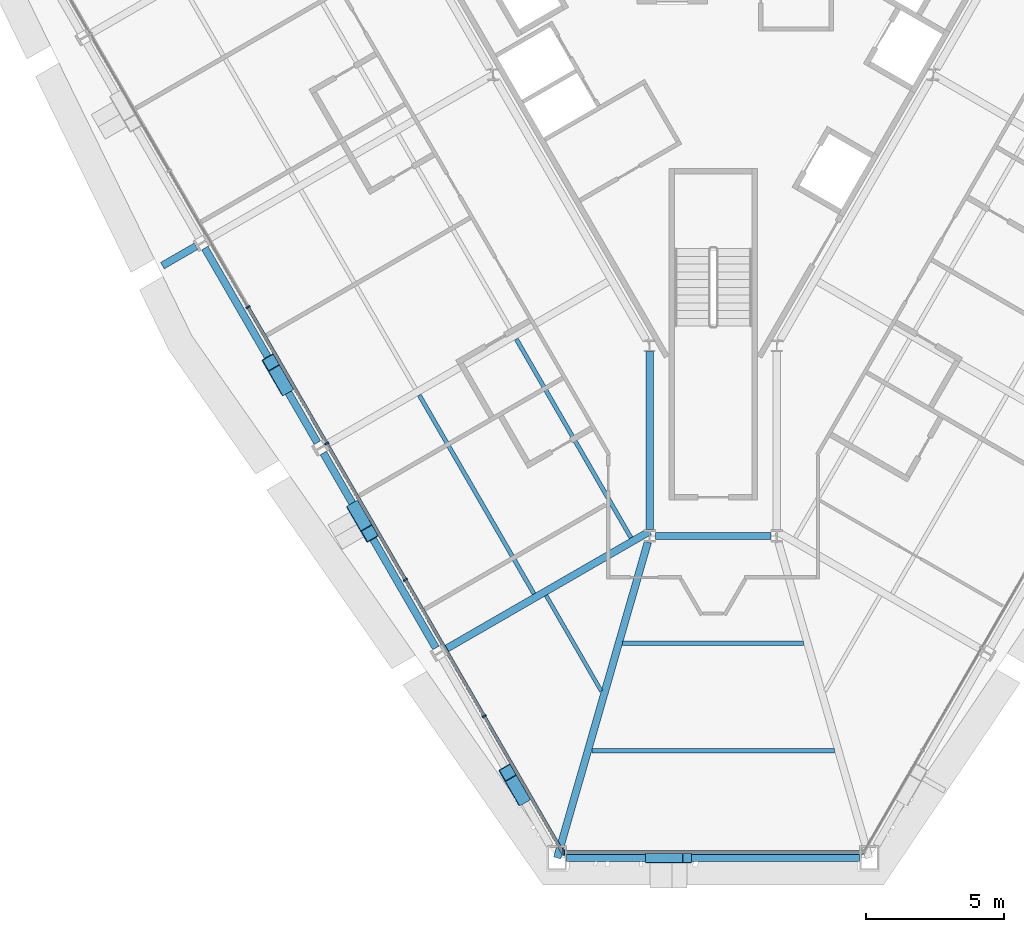
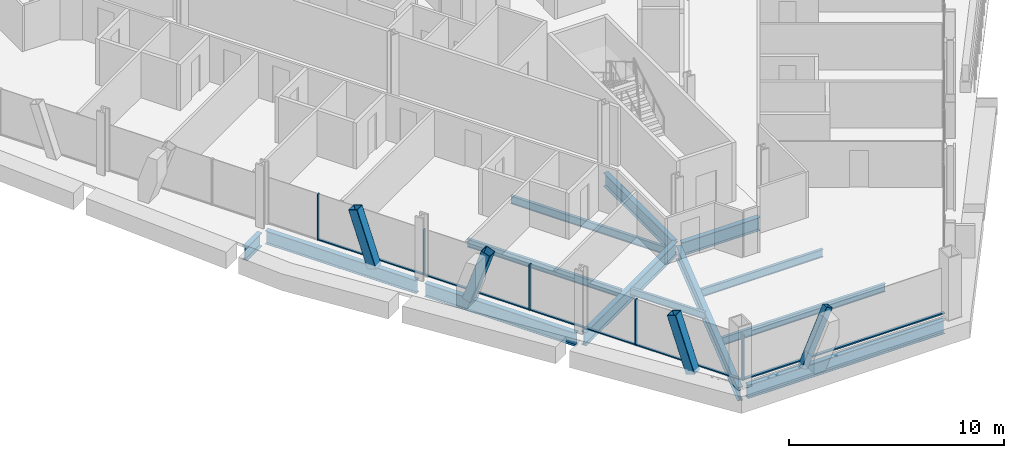
# One storey, part 3 of 20: 14 members, 13 beams, 2 elements without a shape of their own.
"""IFC4 building model written with IfcOpenShell, lengths in metres."""

from ifc_helpers import new_model, si_unit, direction, frame, origin, origin_2d, place, context, subcontext, project, spatial, rectangle, hollow_rectangle, i_section, extrude, material, material_profile, profile_set, type_object, element, aggregate, save


model = new_model("IFC4")

# Units and contexts
model_context = context("Model", 3, precision=1e-05, world=origin(), true_north=direction((0.0, 1.0)))
body_context = subcontext(model_context, "Body", "Model", "MODEL_VIEW")
ifc_project = project(units=[si_unit("LENGTHUNIT", "METRE"), si_unit("AREAUNIT", "SQUARE_METRE"), si_unit("VOLUMEUNIT", "CUBIC_METRE"), si_unit("PLANEANGLEUNIT", "RADIAN"), si_unit("MASSUNIT", "GRAM", prefix="KILO")], contexts=[model_context])

# Site, building, storey
site_placement = place(None, origin())
site = spatial("IfcSite", under=ifc_project, at=site_placement, CompositionType="ELEMENT")
building_placement = place(site_placement, origin())
building = spatial("IfcBuilding", under=site, at=building_placement, Name="Verrane Prism Tower", CompositionType="ELEMENT")
storey_placement = place(building_placement, frame((0.0, 0.0, 69.199951171875)))
storey = spatial("IfcBuildingStorey", under=building, at=storey_placement, Name="L15", CompositionType="ELEMENT", Elevation=69.199951171875)

# Member
ifc_material_1 = material(Name="Steel A500 Grade C", Category="steel")
ifc_material_profile_1 = material_profile(ifc_material_1, hollow_rectangle(XDim=0.355712890625, YDim=0.355712890625, WallThickness=0.0126953125, InnerFilletRadius=0.00634765625, OuterFilletRadius=0.01904296875, at=origin_2d()), Name="HSS14x14x1/2")
ifc_profile_set_1 = profile_set([ifc_material_profile_1], Name="Steel A500 Grade C")
member_type_1 = type_object("IfcMemberType", Name="Chamfer brace HSS14x14x1/2", PredefinedType="BRACE", material=ifc_profile_set_1)
member_1_placement = place(storey_placement, frame((-2.28759765625, -32.9599609375, -0.2451171875), z_axis=(0.409164523875, 0.0, 0.912460625124), x_axis=(0.0, 1.0, 0.0)))
element("IfcMember", 1, at=member_1_placement, inside=storey, type_object=member_type_1, Name="Chamfer brace S0 L15", PredefinedType="BRACE", context=body_context, shape_type="SweptSolid", body=[
    extrude(hollow_rectangle(XDim=0.355712890625, YDim=0.355712890625, WallThickness=0.0126953125, InnerFilletRadius=0.00634765625, OuterFilletRadius=0.01904296875, at=origin_2d()), origin(), (0.0, 0.0, 1.0), 3.291259765625),
])

# Beams
ifc_material_2 = material(Name="Steel A992", Category="steel")
ifc_material_profile_2 = material_profile(ifc_material_2, i_section(OverallWidth=0.2666015625, OverallDepth=0.76708984375, WebThickness=0.014892578125, FlangeThickness=0.023681640625, FilletRadius=0.0166015625, at=origin_2d()), Name="W30x124")
ifc_profile_set_2 = profile_set([ifc_material_profile_2], Name="Steel A992")
beam_type_1 = type_object("IfcBeamType", Name="Chamfer spandrel beam W30x124", PredefinedType="SPANDREL", material=ifc_profile_set_2)
beam_1_placement = place(storey_placement, frame((-5.300048828125, -32.9599609375, -0.54345703125), z_axis=(1.0, 0.0, 0.0), x_axis=(0.0, 1.0, 0.0)))
element("IfcBeam", 2, at=beam_1_placement, inside=storey, type_object=beam_type_1, Name="Chamfer spandrel beam L15", PredefinedType="SPANDREL", context=body_context, shape_type="SweptSolid", body=[
    extrude(i_section(OverallWidth=0.2666015625, OverallDepth=0.76708984375, WebThickness=0.014892578125, FlangeThickness=0.023681640625, FilletRadius=0.0166015625, at=origin_2d()), origin(), (0.0, 0.0, 1.0), 10.60009765625),
])
ifc_material_3 = material(Name="Steel A992", Category="steel")
ifc_material_profile_3 = material_profile(ifc_material_3, i_section(OverallWidth=0.2666015625, OverallDepth=0.7568359375, WebThickness=0.013916015625, FlangeThickness=0.019287109375, FilletRadius=0.0166015625, at=origin_2d()), Name="W30x108")
ifc_profile_set_3 = profile_set([ifc_material_profile_3], Name="Steel A992")
beam_type_2 = type_object("IfcBeamType", Name="Core ring girder W30x108", PredefinedType="BEAM", material=ifc_profile_set_3)
beam_2_placement = place(storey_placement, frame((-2.300048828125, -14.62841796875, -0.62841796875), z_axis=(0.0, -1.0, 0.0), x_axis=(1.0, 0.0, 0.0)))
element("IfcBeam", 3, at=beam_2_placement, inside=storey, type_object=beam_type_2, Name="Core ring girder L15", PredefinedType="BEAM", context=body_context, shape_type="SweptSolid", body=[
    extrude(i_section(OverallWidth=0.2666015625, OverallDepth=0.7568359375, WebThickness=0.013916015625, FlangeThickness=0.019287109375, FilletRadius=0.0166015625, at=origin_2d()), origin(), (0.0, 0.0, 1.0), 6.4443359375),
])
beam_3_placement = place(storey_placement, frame((-2.09033203125, -21.300048828125, -0.62841796875), z_axis=(1.0, 0.0, 0.0), x_axis=(0.0, 1.0, 0.0)))
element("IfcBeam", 4, at=beam_3_placement, inside=storey, type_object=beam_type_2, Name="Core ring girder L15", PredefinedType="BEAM", context=body_context, shape_type="SweptSolid", body=[
    extrude(i_section(OverallWidth=0.2666015625, OverallDepth=0.7568359375, WebThickness=0.013916015625, FlangeThickness=0.019287109375, FilletRadius=0.0166015625, at=origin_2d()), origin(), (0.0, 0.0, 1.0), 4.1806640625),
])
ifc_material_4 = material(Name="Steel A992", Category="steel")
ifc_material_profile_4 = material_profile(ifc_material_4, i_section(OverallWidth=0.2666015625, OverallDepth=0.76708984375, WebThickness=0.014892578125, FlangeThickness=0.023681640625, FilletRadius=0.0166015625, at=origin_2d()), Name="W30x124")
ifc_profile_set_4 = profile_set([ifc_material_profile_4], Name="Steel A992")
beam_type_3 = type_object("IfcBeamType", Name="Corner girder W30x124", PredefinedType="BEAM", material=ifc_profile_set_4)
beam_4_placement = place(storey_placement, frame((-5.64892578125, -32.95654296875, -0.603515625), z_axis=(0.276136278025, 0.961118492153, 0.0), x_axis=(-0.961118492153, 0.276136278025, 0.0)))
element("IfcBeam", 5, at=beam_4_placement, inside=storey, type_object=beam_type_3, Name="Corner girder L15", PredefinedType="BEAM", context=body_context, shape_type="SweptSolid", body=[
    extrude(i_section(OverallWidth=0.2666015625, OverallDepth=0.76708984375, WebThickness=0.014892578125, FlangeThickness=0.023681640625, FilletRadius=0.0166015625, at=origin_2d()), origin(), (0.0, 0.0, 1.0), 11.8916015625),
])

# Members
ifc_material_5 = material(Name="Steel A1085 Grade A", Category="steel")
ifc_material_profile_5 = material_profile(ifc_material_5, hollow_rectangle(XDim=0.508056640625, YDim=0.508056640625, WallThickness=0.025390625, InnerFilletRadius=0.0126953125, OuterFilletRadius=0.0380859375, at=origin_2d()), Name="HSS20x20x1")
ifc_profile_set_5 = profile_set([ifc_material_profile_5], Name="Steel A1085 Grade A")
member_type_2 = type_object("IfcMemberType", Name="Facade brace HSS20x20x1", PredefinedType="BRACE", material=ifc_profile_set_5)
member_2_placement = place(storey_placement, frame((-15.49609375, -15.90283203125, -0.242431640625), z_axis=(-0.161207751603, 0.278771078559, 0.946730556485), x_axis=(-0.865676668203, -0.500603541866, 0.0)))
element("IfcMember", 6, at=member_2_placement, inside=storey, type_object=member_type_2, Name="Facade brace SW3 L15", PredefinedType="BRACE", context=body_context, shape_type="SweptSolid", body=[
    extrude(hollow_rectangle(XDim=0.508056640625, YDim=0.508056640625, WallThickness=0.025390625, InnerFilletRadius=0.0126953125, OuterFilletRadius=0.0380859375, at=origin_2d()), origin(), (0.0, 0.0, 1.0), 3.17724609375),
])
member_3_placement = place(storey_placement, frame((-12.94384765625, -20.320068359375, -0.242431640625), z_axis=(0.161115641095, -0.279128814544, 0.946640826864), x_axis=(0.866078408764, 0.499908181442, 0.0)))
element("IfcMember", 7, at=member_3_placement, inside=storey, type_object=member_type_2, Name="Facade brace SW4 L15", PredefinedType="BRACE", context=body_context, shape_type="SweptSolid", body=[
    extrude(hollow_rectangle(XDim=0.508056640625, YDim=0.508056640625, WallThickness=0.025390625, InnerFilletRadius=0.0126953125, OuterFilletRadius=0.0380859375, at=origin_2d()), origin(), (0.0, 0.0, 1.0), 3.177490234375),
])
member_4_placement = place(storey_placement, frame((-6.923095703125, -30.7529296875, -0.242431640625), z_axis=(-0.160833507391, 0.278788325281, 0.946789127835), x_axis=(-0.866193535518, -0.499708674156, 0.0)))
element("IfcMember", 8, at=member_4_placement, inside=storey, type_object=member_type_2, Name="Facade brace SW5 L15", PredefinedType="BRACE", context=body_context, shape_type="SweptSolid", body=[
    extrude(hollow_rectangle(XDim=0.508056640625, YDim=0.508056640625, WallThickness=0.025390625, InnerFilletRadius=0.0126953125, OuterFilletRadius=0.0380859375, at=origin_2d()), origin(), (0.0, 0.0, 1.0), 3.177001953125),
])

# Beams
ifc_material_6 = material(Name="Steel A992", Category="steel")
ifc_material_profile_6 = material_profile(ifc_material_6, i_section(OverallWidth=0.140380859375, OverallDepth=0.40380859375, WebThickness=0.007080078125, FlangeThickness=0.01123046875, FilletRadius=0.01025390625, at=origin_2d()), Name="W16x31")
ifc_profile_set_6 = profile_set([ifc_material_profile_6], Name="Steel A992")
beam_type_4 = type_object("IfcBeamType", Name="Floor beam W16x31", PredefinedType="BEAM", material=ifc_profile_set_6)
beam_5_placement = place(storey_placement, frame((-4.051513671875, -26.91259765625, -0.36181640625), z_axis=(-0.499995658264, 0.866027910472, 0.0), x_axis=(-0.866027910472, -0.499995658264, 0.0)))
element("IfcBeam", 9, at=beam_5_placement, inside=storey, type_object=beam_type_4, Name="Floor beam L15", PredefinedType="BEAM", context=body_context, shape_type="SweptSolid", body=[
    extrude(i_section(OverallWidth=0.140380859375, OverallDepth=0.40380859375, WebThickness=0.007080078125, FlangeThickness=0.01123046875, FilletRadius=0.01025390625, at=origin_2d()), origin(), (0.0, 0.0, 1.0), 3.99658203125),
])
ifc_material_7 = material(Name="Steel A992", Category="steel")
ifc_material_profile_7 = material_profile(ifc_material_7, i_section(OverallWidth=0.15234375, OverallDepth=0.449462890625, WebThickness=0.007568359375, FlangeThickness=0.0107421875, FilletRadius=0.01025390625, at=origin_2d()), Name="W18x35")
ifc_profile_set_7 = profile_set([ifc_material_profile_7], Name="Steel A992")
beam_type_5 = type_object("IfcBeamType", Name="Floor beam W18x35", PredefinedType="BEAM", material=ifc_profile_set_7)
beam_6_placement = place(storey_placement, frame((-2.9736328125, -21.365234375, -0.384765625), z_axis=(-0.499989616998, 0.866031398331, 0.0), x_axis=(-0.866031398331, -0.499989616998, 0.0)))
element("IfcBeam", 10, at=beam_6_placement, inside=storey, type_object=beam_type_5, Name="Floor beam L15", PredefinedType="BEAM", context=body_context, shape_type="SweptSolid", body=[
    extrude(i_section(OverallWidth=0.15234375, OverallDepth=0.449462890625, WebThickness=0.007568359375, FlangeThickness=0.0107421875, FilletRadius=0.01025390625, at=origin_2d()), origin(), (0.0, 0.0, 1.0), 8.305908203125),
])
beam_7_placement = place(storey_placement, frame((-6.4853515625, -23.394775390625, -0.384765625), z_axis=(-0.50000392623, 0.866023136963, 0.0), x_axis=(-0.866023136963, -0.50000392623, 0.0)))
element("IfcBeam", 11, at=beam_7_placement, inside=storey, type_object=beam_type_5, Name="Floor beam L15", PredefinedType="BEAM", context=body_context, shape_type="SweptSolid", body=[
    extrude(i_section(OverallWidth=0.15234375, OverallDepth=0.449462890625, WebThickness=0.007568359375, FlangeThickness=0.0107421875, FilletRadius=0.01025390625, at=origin_2d()), origin(), (0.0, 0.0, 1.0), 8.30908203125),
])
beam_8_placement = place(storey_placement, frame((-4.394287109375, -29.0732421875, -0.384765625), z_axis=(1.0, 0.0, 0.0), x_axis=(0.0, 1.0, 0.0)))
element("IfcBeam", 12, at=beam_8_placement, inside=storey, type_object=beam_type_5, Name="Floor beam L15", PredefinedType="BEAM", context=body_context, shape_type="SweptSolid", body=[
    extrude(i_section(OverallWidth=0.15234375, OverallDepth=0.449462890625, WebThickness=0.007568359375, FlangeThickness=0.0107421875, FilletRadius=0.01025390625, at=origin_2d()), origin(), (0.0, 0.0, 1.0), 8.78857421875),
])
beam_9_placement = place(storey_placement, frame((-3.27783203125, -25.186767578125, -0.384765625), z_axis=(1.0, 0.0, 0.0), x_axis=(0.0, 1.0, 0.0)))
element("IfcBeam", 13, at=beam_9_placement, inside=storey, type_object=beam_type_5, Name="Floor beam L15", PredefinedType="BEAM", context=body_context, shape_type="SweptSolid", body=[
    extrude(i_section(OverallWidth=0.15234375, OverallDepth=0.449462890625, WebThickness=0.007568359375, FlangeThickness=0.0107421875, FilletRadius=0.01025390625, at=origin_2d()), origin(), (0.0, 0.0, 1.0), 6.5556640625),
])

# Curtain wall, members
ifc_material_8 = material(Name="Aluminium framed insulated glazing", Category="aluminium")
curtain_wall_type_1 = type_object("IfcCurtainWallType", Name="Curtain wall CW-B 5600 module", PredefinedType="NOTDEFINED", material=ifc_material_8)
curtain_wall_1_placement = place(storey_placement, origin())
curtain_wall_1 = element("IfcCurtainWall", 14, at=curtain_wall_1_placement, inside=storey, type_object=curtain_wall_type_1, Name="Glazed curtain wall south-west face L15", PredefinedType="NOTDEFINED")
ifc_material_9 = material(Name="Aluminium alloy 6063-T6", Category="aluminium")
ifc_material_profile_8 = material_profile(ifc_material_9, rectangle(XDim=0.159912109375, YDim=0.06005859375, at=origin_2d()), Name="Mullion 60x160 aluminium")
ifc_profile_set_8 = profile_set([ifc_material_profile_8], Name="Aluminium alloy 6063-T6")
member_type_3 = type_object("IfcMemberType", Name="Mullion 60x160 aluminium", PredefinedType="MULLION", material=ifc_profile_set_8)
member_5_placement = place(storey_placement, frame((-16.84033203125, -13.013671875, 0.0), z_axis=(0.0, 0.0, 1.0), x_axis=(0.866025283147, 0.50000020895, 0.0)))
member_5 = element("IfcMember", 15, at=member_5_placement, type_object=member_type_3, Name="CW14.4 mullion 6", PredefinedType="MULLION", context=body_context, shape_type="SweptSolid", body=[
    extrude(rectangle(XDim=0.159912109375, YDim=0.06005859375, at=origin_2d()), origin(), (0.0, 0.0, 1.0), 2.613037109375),
])
member_6_placement = place(storey_placement, frame((-13.990478515625, -17.94970703125, 0.0), z_axis=(0.0, 0.0, 1.0), x_axis=(0.866025283147, 0.50000020895, 0.0)))
member_6 = element("IfcMember", 16, at=member_6_placement, type_object=member_type_3, Name="CW14.4 mullion 7", PredefinedType="MULLION", context=body_context, shape_type="SweptSolid", body=[
    extrude(rectangle(XDim=0.159912109375, YDim=0.06005859375, at=origin_2d()), origin(), (0.0, 0.0, 1.0), 2.613037109375),
])
member_7_placement = place(storey_placement, frame((-11.140625, -22.8857421875, 0.0), z_axis=(0.0, 0.0, 1.0), x_axis=(0.866025283147, 0.50000020895, 0.0)))
member_7 = element("IfcMember", 17, at=member_7_placement, type_object=member_type_3, Name="CW14.4 mullion 8", PredefinedType="MULLION", context=body_context, shape_type="SweptSolid", body=[
    extrude(rectangle(XDim=0.159912109375, YDim=0.06005859375, at=origin_2d()), origin(), (0.0, 0.0, 1.0), 2.613037109375),
])
member_8_placement = place(storey_placement, frame((-8.290771484375, -27.82177734375, 0.0), z_axis=(0.0, 0.0, 1.0), x_axis=(0.866025283147, 0.50000020895, 0.0)))
member_8 = element("IfcMember", 18, at=member_8_placement, type_object=member_type_3, Name="CW14.4 mullion 9", PredefinedType="MULLION", context=body_context, shape_type="SweptSolid", body=[
    extrude(rectangle(XDim=0.159912109375, YDim=0.06005859375, at=origin_2d()), origin(), (0.0, 0.0, 1.0), 2.613037109375),
])

# Curtain wall, member
ifc_material_10 = material(Name="Aluminium framed insulated glazing", Category="aluminium")
curtain_wall_type_2 = type_object("IfcCurtainWallType", Name="Curtain wall CW-A 8400 module", PredefinedType="NOTDEFINED", material=ifc_material_10)
curtain_wall_2_placement = place(storey_placement, origin())
curtain_wall_2 = element("IfcCurtainWall", 19, at=curtain_wall_2_placement, inside=storey, type_object=curtain_wall_type_2, Name="Glazed curtain wall south corner L15", PredefinedType="NOTDEFINED")
ifc_material_11 = material(Name="Aluminium alloy 6063-T6", Category="aluminium")
ifc_material_profile_9 = material_profile(ifc_material_11, rectangle(XDim=0.199951171875, YDim=0.070068359375, at=origin_2d()), Name="Mullion 70x200 aluminium")
ifc_profile_set_9 = profile_set([ifc_material_profile_9], Name="Aluminium alloy 6063-T6")
member_type_4 = type_object("IfcMemberType", Name="Mullion 70x200 aluminium", PredefinedType="MULLION", material=ifc_profile_set_9)
member_9_placement = place(storey_placement, frame((-5.406005859375, -32.758056640625, 0.0), z_axis=(0.0, 0.0, 1.0), x_axis=(0.0, 1.0, 0.0)))
member_9 = element("IfcMember", 20, at=member_9_placement, type_object=member_type_4, Name="CW14.5 mullion 1", PredefinedType="MULLION", context=body_context, shape_type="SweptSolid", body=[
    extrude(rectangle(XDim=0.199951171875, YDim=0.070068359375, at=origin_2d()), origin(), (0.0, 0.0, 1.0), 2.613037109375),
])

# Beams
ifc_material_12 = material(Name="Steel A992", Category="steel")
ifc_material_profile_10 = material_profile(ifc_material_12, i_section(OverallWidth=0.2666015625, OverallDepth=0.76708984375, WebThickness=0.014892578125, FlangeThickness=0.023681640625, FilletRadius=0.0166015625, at=origin_2d()), Name="W30x124")
ifc_profile_set_10 = profile_set([ifc_material_profile_10], Name="Steel A992")
beam_type_6 = type_object("IfcBeamType", Name="Radial girder W30x124", PredefinedType="BEAM", material=ifc_profile_set_10)
beam_10_placement = place(storey_placement, frame((-9.71435546875, -25.41552734375, -0.603515625), z_axis=(0.866019851127, 0.500009617362, 0.0), x_axis=(-0.500009617362, 0.866019851127, 0.0)))
element("IfcBeam", 21, at=beam_10_placement, inside=storey, type_object=beam_type_6, Name="Radial girder L15", PredefinedType="BEAM", context=body_context, shape_type="SweptSolid", body=[
    extrude(i_section(OverallWidth=0.2666015625, OverallDepth=0.76708984375, WebThickness=0.014892578125, FlangeThickness=0.023681640625, FilletRadius=0.0166015625, at=origin_2d()), origin(), (0.0, 0.0, 1.0), 8.561279296875),
])
beam_11_placement = place(storey_placement, frame((-18.72216796875, -10.8125, -0.603515625), z_axis=(-0.866040790738, -0.499973348067, 0.0), x_axis=(0.499973348067, -0.866040790738, 0.0)))
element("IfcBeam", 22, at=beam_11_placement, inside=storey, type_object=beam_type_6, Name="Cantilever girder L15", PredefinedType="BEAM", context=body_context, shape_type="SweptSolid", body=[
    extrude(i_section(OverallWidth=0.2666015625, OverallDepth=0.76708984375, WebThickness=0.014892578125, FlangeThickness=0.023681640625, FilletRadius=0.0166015625, at=origin_2d()), origin(), (0.0, 0.0, 1.0), 1.40380859375),
])
ifc_material_13 = material(Name="Steel A992", Category="steel")
ifc_material_profile_11 = material_profile(ifc_material_13, i_section(OverallWidth=0.2666015625, OverallDepth=0.7568359375, WebThickness=0.013916015625, FlangeThickness=0.019287109375, FilletRadius=0.0166015625, at=origin_2d()), Name="W30x108")
ifc_profile_set_11 = profile_set([ifc_material_profile_11], Name="Steel A992")
beam_type_7 = type_object("IfcBeamType", Name="Spandrel beam W30x108", PredefinedType="SPANDREL", material=ifc_profile_set_11)
beam_12_placement = place(storey_placement, frame((-18.40185546875, -10.876953125, -0.538330078125), z_axis=(0.500519459501, -0.865725285908, 0.0), x_axis=(0.865725285908, 0.500519459501, 0.0)))
element("IfcBeam", 23, at=beam_12_placement, inside=storey, type_object=beam_type_7, Name="Spandrel beam L15", PredefinedType="SPANDREL", context=body_context, shape_type="SweptSolid", body=[
    extrude(i_section(OverallWidth=0.2666015625, OverallDepth=0.7568359375, WebThickness=0.013916015625, FlangeThickness=0.019287109375, FilletRadius=0.0166015625, at=origin_2d()), origin(), (0.0, 0.0, 1.0), 8.138916015625),
])
beam_13_placement = place(storey_placement, frame((-14.112060546875, -18.297119140625, -0.538330078125), z_axis=(0.500022470507, -0.866012430043, 0.0), x_axis=(0.866012430043, 0.500022470507, 0.0)))
element("IfcBeam", 24, at=beam_13_placement, inside=storey, type_object=beam_type_7, Name="Spandrel beam L15", PredefinedType="SPANDREL", context=body_context, shape_type="SweptSolid", body=[
    extrude(i_section(OverallWidth=0.2666015625, OverallDepth=0.7568359375, WebThickness=0.013916015625, FlangeThickness=0.019287109375, FilletRadius=0.0166015625, at=origin_2d()), origin(), (0.0, 0.0, 1.0), 8.147705078125),
])

# Member
ifc_material_14 = material(Name="Aluminium alloy 6063-T6", Category="aluminium")
ifc_material_profile_12 = material_profile(ifc_material_14, rectangle(XDim=0.1201171875, YDim=0.06005859375, at=origin_2d()), Name="Transom 60x120 aluminium")
ifc_profile_set_12 = profile_set([ifc_material_profile_12], Name="Aluminium alloy 6063-T6")
member_type_5 = type_object("IfcMemberType", Name="Transom 60x120 aluminium", PredefinedType="USERDEFINED", material=ifc_profile_set_12)
member_10_placement = place(storey_placement, frame((-16.825439453125, -13.03955078125, 0.030029296875), z_axis=(0.500003502126, -0.866023381821, 0.0), x_axis=(0.866023381821, 0.500003502126, 0.0)))
member_10 = element("IfcMember", 25, at=member_10_placement, type_object=member_type_5, Name="CW14.4 transom 6", ObjectType="TRANSOM", PredefinedType="USERDEFINED", context=body_context, shape_type="SweptSolid", body=[
    extrude(rectangle(XDim=0.1201171875, YDim=0.06005859375, at=origin_2d()), origin(), (0.0, 0.0, 1.0), 5.6396484375),
])

member_11_placement = place(storey_placement, frame((-13.9755859375, -17.9755859375, 0.030029296875), z_axis=(0.500017223503, -0.866015459562, 0.0), x_axis=(0.866015459562, 0.500017223503, 0.0)))
member_11 = element("IfcMember", 26, at=member_11_placement, type_object=member_type_5, Name="CW14.4 transom 7", ObjectType="TRANSOM", PredefinedType="USERDEFINED", context=body_context, shape_type="SweptSolid", body=[
    extrude(rectangle(XDim=0.1201171875, YDim=0.06005859375, at=origin_2d()), origin(), (0.0, 0.0, 1.0), 5.639892578125),
])

member_12_placement = place(storey_placement, frame((-11.125732421875, -22.911865234375, 0.030029296875), z_axis=(0.50003596868, -0.866004636261, 0.0), x_axis=(0.866004636261, 0.50003596868, 0.0)))
member_12 = element("IfcMember", 27, at=member_12_placement, type_object=member_type_5, Name="CW14.4 transom 8", ObjectType="TRANSOM", PredefinedType="USERDEFINED", context=body_context, shape_type="SweptSolid", body=[
    extrude(rectangle(XDim=0.1201171875, YDim=0.06005859375, at=origin_2d()), origin(), (0.0, 0.0, 1.0), 5.6396484375),
])

member_13_placement = place(storey_placement, frame((-8.27587890625, -27.847900390625, 0.030029296875), z_axis=(0.500010702031, -0.866019224876, 0.0), x_axis=(0.866019224876, 0.500010702031, 0.0)))
member_13 = element("IfcMember", 28, at=member_13_placement, type_object=member_type_5, Name="CW14.4 transom 9", ObjectType="TRANSOM", PredefinedType="USERDEFINED", context=body_context, shape_type="SweptSolid", body=[
    extrude(rectangle(XDim=0.1201171875, YDim=0.06005859375, at=origin_2d()), origin(), (0.0, 0.0, 1.0), 5.669921875),
])

aggregate(curtain_wall_1, [member_5, member_6, member_7, member_8, member_10, member_11, member_12, member_13])

ifc_material_15 = material(Name="Aluminium alloy 6063-T6", Category="aluminium")
ifc_material_profile_13 = material_profile(ifc_material_15, rectangle(XDim=0.14990234375, YDim=0.070068359375, at=origin_2d()), Name="Transom 70x150 aluminium")
ifc_profile_set_13 = profile_set([ifc_material_profile_13], Name="Aluminium alloy 6063-T6")
member_type_6 = type_object("IfcMemberType", Name="Transom 70x150 aluminium", PredefinedType="USERDEFINED", material=ifc_profile_set_13)
member_14_placement = place(storey_placement, frame((-5.370849609375, -32.758056640625, 0.03515625), z_axis=(1.0, 0.0, 0.0), x_axis=(0.0, 1.0, 0.0)))
member_14 = element("IfcMember", 29, at=member_14_placement, type_object=member_type_6, Name="CW14.5 transom 1", ObjectType="TRANSOM", PredefinedType="USERDEFINED", context=body_context, shape_type="SweptSolid", body=[
    extrude(rectangle(XDim=0.14990234375, YDim=0.070068359375, at=origin_2d()), origin(), (0.0, 0.0, 1.0), 10.811767578125),
])

aggregate(curtain_wall_2, [member_9, member_14])

save(model, "model.ifc")
